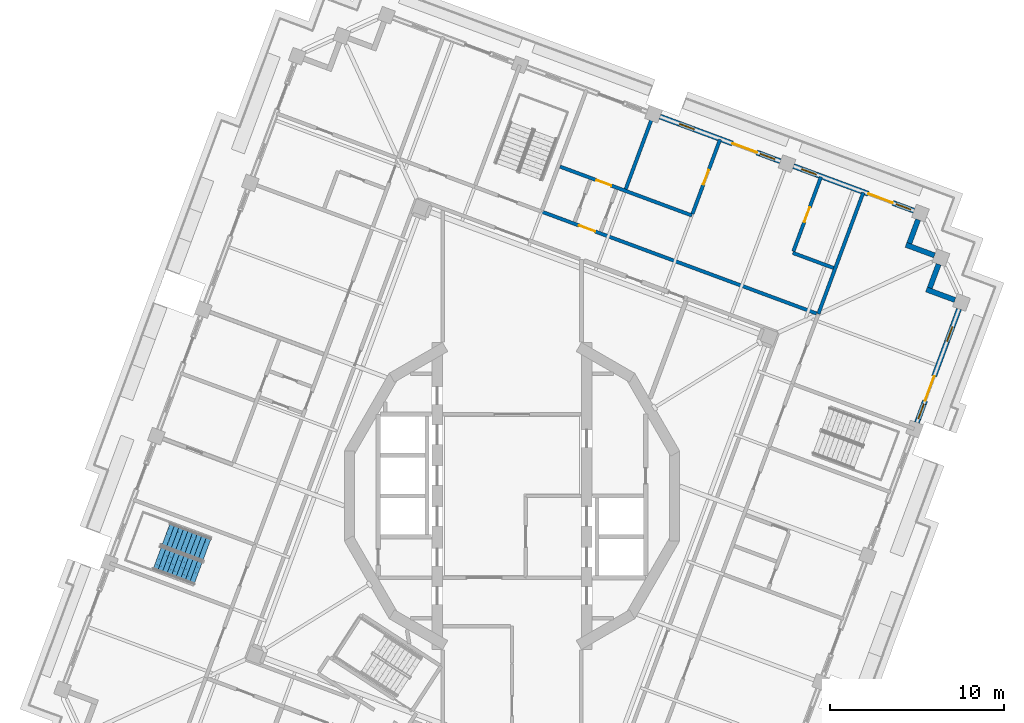
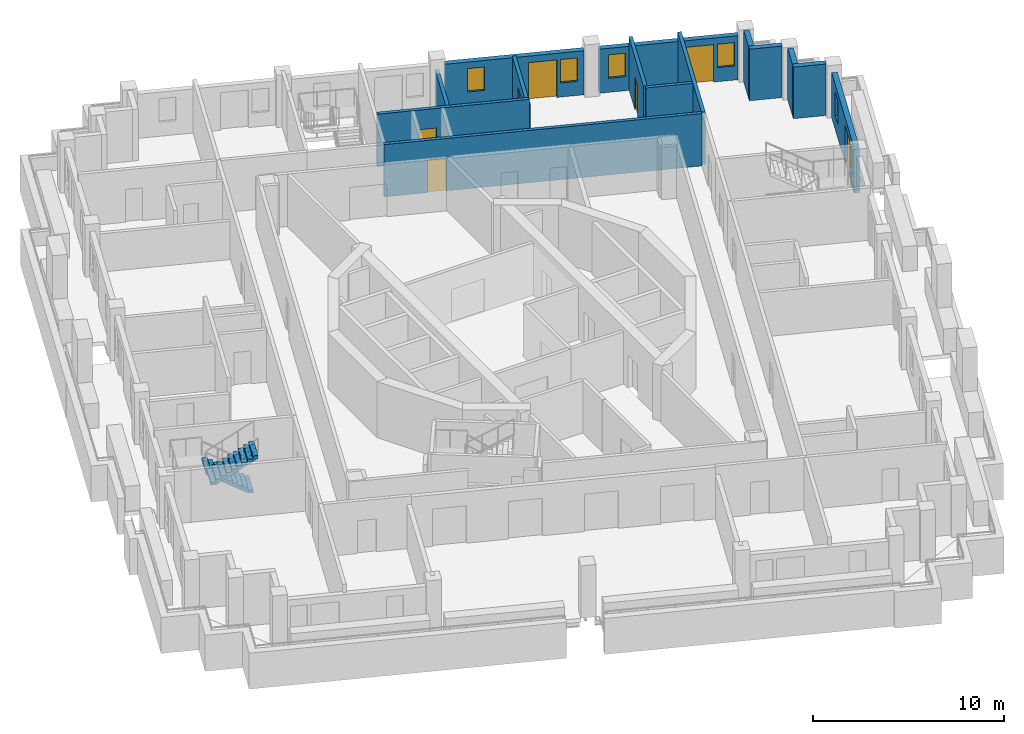
# One storey, part 9 of 18: 14 walls, 7 doors, 6 windows, 2 stair flights, 13 openings, 1 element without a shape of its own.
"""IFC4 building model written with IfcOpenShell, lengths in metres."""

from ifc_helpers import new_model, si_unit, direction, frame, frame_2d, origin, place, context, subcontext, project, spatial, polyline, rectangle, outline, extrude, material, layer, layer_set, type_object, element, fill, aggregate, save


model = new_model("IFC4")

# Units and contexts
model_context = context("Model", 3, precision=1e-05, world=origin(), true_north=direction((0.0, 1.0)))
body_context = subcontext(model_context, "Body", "Model", "MODEL_VIEW")
ifc_project = project(units=[si_unit("LENGTHUNIT", "METRE"), si_unit("AREAUNIT", "SQUARE_METRE"), si_unit("VOLUMEUNIT", "CUBIC_METRE"), si_unit("PLANEANGLEUNIT", "RADIAN"), si_unit("MASSUNIT", "GRAM", prefix="KILO")], contexts=[model_context])

# Site, building, storey
site_placement = place(None, origin())
site = spatial("IfcSite", under=ifc_project, at=site_placement, CompositionType="ELEMENT")
building_placement = place(site_placement, origin())
building = spatial("IfcBuilding", under=site, at=building_placement, Name="Cantera Rosa Tower", CompositionType="ELEMENT")
storey_placement = place(building_placement, frame((0.0, 0.0, 316.89990234375)))
storey = spatial("IfcBuildingStorey", under=building, at=storey_placement, Name="L70", CompositionType="ELEMENT", Elevation=316.89990234375)

# Wall, opening, door
ifc_material_1 = material(Name="Gypsum board partition")
ifc_layer_1 = layer(ifc_material_1, 0.199951171875)
ifc_layer_set_1 = layer_set([ifc_layer_1], Name="CORRIDOR WALL 200 H3350")
wall_type_1 = type_object("IfcWallType", Name="CORRIDOR WALL 200 H3350", PredefinedType="PARTITIONING", material=ifc_layer_set_1)
wall_1_placement = place(storey_placement, frame((17.544677734375, 10.50830078125, 0.0), z_axis=(0.0, 0.0, 1.0), x_axis=(-0.937684617113, 0.347487494493, 0.0)))
wall_1 = element("IfcWall", 1, at=wall_1_placement, inside=storey, type_object=wall_type_1, Name="CORRIDOR WALL L70-101", PredefinedType="PARTITIONING", context=body_context, shape_type="SweptSolid", body=[
    extrude(rectangle(XDim=16.900146484375, YDim=0.199951171875, at=frame_2d((8.4501953125, 0.0))), origin(), (0.0, 0.0, 1.0), 3.35009765625),
])
opening_1_placement = place(wall_1_placement, frame((13.60009765625, 0.0, 0.0)))
opening_1 = element("IfcOpeningElement", 2, at=opening_1_placement, cuts=wall_1, Name="Opening L70-020", PredefinedType="OPENING", context=body_context, shape_type="SweptSolid", body=[
    extrude(rectangle(XDim=1.0, YDim=2.10009765625, at=frame_2d((0.5, 1.050048828125))), frame((0.0, 0.10986328125, 0.0), z_axis=(0.0, -1.0, 0.0), x_axis=(1.0, 0.0, 0.0)), (0.0, 0.0, 1.0), 0.219970703125),
])
ifc_material_2 = material(Name="Timber door leaf", Category="wood")
door_type_1 = type_object("IfcDoorType", Name="ENTRANCE DOOR 1000x2100", OperationType="NOTDEFINED", PredefinedType="DOOR", material=ifc_material_2)
door_1_placement = place(opening_1_placement, origin())
door_1 = element("IfcDoor", 3, at=door_1_placement, inside=storey, type_object=door_type_1, Name="DOOR L70-020", OperationType="NOTDEFINED", OverallHeight=2.10009765625, OverallWidth=1.0, PredefinedType="DOOR", context=body_context, shape_type="SweptSolid", body=[
    extrude(rectangle(XDim=1.0, YDim=2.10009765625, at=frame_2d((0.5, 1.050048828125))), frame((0.0, 0.02490234375, 0.0), z_axis=(0.0, -1.0, 0.0), x_axis=(1.0, 0.0, 0.0)), (0.0, 0.0, 1.0), 0.050048828125),
])
fill(opening_1, door_1)

# Walls
ifc_material_3 = material(Name="Hollow clay masonry with cantera stone cladding", Category="masonry")
ifc_layer_2 = layer(ifc_material_3, 0.300048828125)
ifc_layer_set_2 = layer_set([ifc_layer_2], Name="EW-LOGGIA 300")
wall_type_2 = type_object("IfcWallType", Name="EW-LOGGIA 300", PredefinedType="SOLIDWALL", material=ifc_layer_set_2)
wall_2_placement = place(storey_placement, frame((25.51220703125, 11.288330078125, 0.0), z_axis=(0.0, 0.0, 1.0), x_axis=(-0.937669639538, 0.34752790836, 0.0)))
element("IfcWall", 4, at=wall_2_placement, inside=storey, type_object=wall_type_2, Name="EN-L70-W25a", PredefinedType="SOLIDWALL", context=body_context, shape_type="SweptSolid", body=[
    extrude(rectangle(XDim=1.75, YDim=0.300048828125, at=frame_2d((0.875, 0.0))), origin(), (0.0, 0.0, 1.0), 3.300048828125),
])
wall_3_placement = place(storey_placement, frame((24.06396484375, 11.985107421875, 0.0), z_axis=(0.0, 0.0, 1.0), x_axis=(0.347522732201, 0.937671557958, 0.0)))
element("IfcWall", 5, at=wall_3_placement, inside=storey, type_object=wall_type_2, Name="EN-L70-W25b", PredefinedType="SOLIDWALL", context=body_context, shape_type="SweptSolid", body=[
    extrude(rectangle(XDim=1.449951171875, YDim=0.300048828125, at=frame_2d((0.72509765625, 0.0))), origin(), (0.0, 0.0, 1.0), 3.300048828125),
])
wall_4_placement = place(storey_placement, frame((24.331787109375, 13.858642578125, 0.0), z_axis=(0.0, 0.0, 1.0), x_axis=(-0.937669639538, 0.34752790836, 0.0)))
element("IfcWall", 6, at=wall_4_placement, inside=storey, type_object=wall_type_2, Name="EN-L70-W26a", PredefinedType="SOLIDWALL", context=body_context, shape_type="SweptSolid", body=[
    extrude(rectangle(XDim=1.75, YDim=0.300048828125, at=frame_2d((0.875, 0.0))), origin(), (0.0, 0.0, 1.0), 3.300048828125),
])
wall_5_placement = place(storey_placement, frame((22.883544921875, 14.555419921875, 0.0), z_axis=(0.0, 0.0, 1.0), x_axis=(0.347522732201, 0.937671557958, 0.0)))
element("IfcWall", 7, at=wall_5_placement, inside=storey, type_object=wall_type_2, Name="EN-L70-W26b", PredefinedType="SOLIDWALL", context=body_context, shape_type="SweptSolid", body=[
    extrude(rectangle(XDim=1.449951171875, YDim=0.300048828125, at=frame_2d((0.72509765625, 0.0))), origin(), (0.0, 0.0, 1.0), 3.300048828125),
])

# Wall, openings, windows, door
ifc_material_4 = material(Name="Hollow clay masonry with cantera stone cladding", Category="masonry")
ifc_layer_3 = layer(ifc_material_4, 0.300048828125)
ifc_layer_set_3 = layer_set([ifc_layer_3], Name="EW-LOGGIA 300 H2820")
wall_type_3 = type_object("IfcWallType", Name="EW-LOGGIA 300 H2820", PredefinedType="SOLIDWALL", material=ifc_layer_set_3)
wall_6_placement = place(storey_placement, frame((23.1513671875, 16.428955078125, 0.0), z_axis=(0.0, 0.0, 1.0), x_axis=(-0.937676706507, 0.347508840281, 0.0)))
wall_6 = element("IfcWall", 8, at=wall_6_placement, inside=storey, type_object=wall_type_3, Name="EN-L70-W01", PredefinedType="SOLIDWALL", context=body_context, shape_type="SweptSolid", body=[
    extrude(rectangle(XDim=7.39990234375, YDim=0.300048828125, at=frame_2d((3.699951171875, 0.0))), origin(), (0.0, 0.0, 1.0), 2.820068359375),
])
opening_2_placement = place(wall_6_placement, frame((0.199951171875, 0.0, 0.89990234375)))
opening_2 = element("IfcOpeningElement", 9, at=opening_2_placement, cuts=wall_6, Name="Opening L70-W01", PredefinedType="OPENING", context=body_context, shape_type="SweptSolid", body=[
    extrude(rectangle(XDim=0.89990234375, YDim=1.5, at=frame_2d((0.449951171875, 0.75))), frame((0.0, 0.159912109375, 0.0), z_axis=(0.0, -1.0, 0.0), x_axis=(1.0, 0.0, 0.0)), (0.0, 0.0, 1.0), 0.320068359375),
])
opening_3_placement = place(wall_6_placement, frame((1.300048828125, 0.0, 0.0)))
opening_3 = element("IfcOpeningElement", 10, at=opening_3_placement, cuts=wall_6, Name="Opening L70-TD02", PredefinedType="OPENING", context=body_context, shape_type="SweptSolid", body=[
    extrude(rectangle(XDim=1.5, YDim=2.39990234375, at=frame_2d((0.75, 1.199951171875))), frame((0.0, 0.159912109375, 0.0), z_axis=(0.0, -1.0, 0.0), x_axis=(1.0, 0.0, 0.0)), (0.0, 0.0, 1.0), 0.320068359375),
])
opening_4_placement = place(wall_6_placement, frame((6.0, 0.0, 0.89990234375)))
opening_4 = element("IfcOpeningElement", 11, at=opening_4_placement, cuts=wall_6, Name="Opening L70-W03", PredefinedType="OPENING", context=body_context, shape_type="SweptSolid", body=[
    extrude(rectangle(XDim=0.89990234375, YDim=1.5, at=frame_2d((0.449951171875, 0.75))), frame((0.0, 0.159912109375, 0.0), z_axis=(0.0, -1.0, 0.0), x_axis=(1.0, 0.0, 0.0)), (0.0, 0.0, 1.0), 0.320068359375),
])
ifc_material_5 = material(Name="Aluminium frame with clear glass", Category="aluminium")
window_type = type_object("IfcWindowType", Name="Residential window 900x1500", PartitioningType="SINGLE_PANEL", PredefinedType="WINDOW", material=ifc_material_5)
window_1_placement = place(opening_2_placement, origin())
window_1 = element("IfcWindow", 12, at=window_1_placement, inside=storey, type_object=window_type, Name="WINDOW L70-W01", OverallHeight=1.5, OverallWidth=0.89990234375, PartitioningType="SINGLE_PANEL", PredefinedType="WINDOW", context=body_context, shape_type="SweptSolid", body=[
    extrude(rectangle(XDim=0.89990234375, YDim=1.5, at=frame_2d((0.449951171875, 0.75))), frame((0.0, 0.030029296875, 0.0), z_axis=(0.0, -1.0, 0.0), x_axis=(1.0, 0.0, 0.0)), (0.0, 0.0, 1.0), 0.06005859375),
])
fill(opening_2, window_1)
window_2_placement = place(opening_4_placement, origin())
window_2 = element("IfcWindow", 13, at=window_2_placement, inside=storey, type_object=window_type, Name="WINDOW L70-W03", OverallHeight=1.5, OverallWidth=0.89990234375, PartitioningType="SINGLE_PANEL", PredefinedType="WINDOW", context=body_context, shape_type="SweptSolid", body=[
    extrude(rectangle(XDim=0.89990234375, YDim=1.5, at=frame_2d((0.449951171875, 0.75))), frame((0.0, 0.030029296875, 0.0), z_axis=(0.0, -1.0, 0.0), x_axis=(1.0, 0.0, 0.0)), (0.0, 0.0, 1.0), 0.06005859375),
])
fill(opening_4, window_2)
ifc_material_6 = material(Name="Aluminium frame with clear glass", Category="aluminium")
door_type_2 = type_object("IfcDoorType", Name="TD-R 1500x2400", OperationType="NOTDEFINED", PredefinedType="DOOR", material=ifc_material_6)
door_2_placement = place(opening_3_placement, origin())
door_2 = element("IfcDoor", 14, at=door_2_placement, inside=storey, type_object=door_type_2, Name="LOGGIA DOOR L70-TD02", OperationType="SLIDING_TO_LEFT", OverallHeight=2.39990234375, OverallWidth=1.5, PredefinedType="DOOR", context=body_context, shape_type="SweptSolid", body=[
    extrude(rectangle(XDim=1.5, YDim=2.39990234375, at=frame_2d((0.75, 1.199951171875))), frame((0.0, 0.02490234375, 0.0), z_axis=(0.0, -1.0, 0.0), x_axis=(1.0, 0.0, 0.0)), (0.0, 0.0, 1.0), 0.050048828125),
])
fill(opening_3, door_2)

wall_7_placement = place(storey_placement, frame((15.46240234375, 19.2783203125, 0.0), z_axis=(0.0, 0.0, 1.0), x_axis=(-0.937680690562, 0.34749808999, 0.0)))
wall_7 = element("IfcWall", 15, at=wall_7_placement, inside=storey, type_object=wall_type_3, Name="EN-L70-W02", PredefinedType="SOLIDWALL", context=body_context, shape_type="SweptSolid", body=[
    extrude(rectangle(XDim=7.400146484375, YDim=0.300048828125, at=frame_2d((3.7001953125, 0.0))), origin(), (0.0, 0.0, 1.0), 2.820068359375),
])
opening_5_placement = place(wall_7_placement, frame((0.35009765625, 0.0, 0.89990234375)))
opening_5 = element("IfcOpeningElement", 16, at=opening_5_placement, cuts=wall_7, Name="Opening L70-W04", PredefinedType="OPENING", context=body_context, shape_type="SweptSolid", body=[
    extrude(rectangle(XDim=0.89990234375, YDim=1.5, at=frame_2d((0.449951171875, 0.75))), frame((0.0, 0.159912109375, 0.0), z_axis=(0.0, -1.0, 0.0), x_axis=(1.0, 0.0, 0.0)), (0.0, 0.0, 1.0), 0.320068359375),
])
opening_6_placement = place(wall_7_placement, frame((1.449951171875, 0.0, 0.0)))
opening_6 = element("IfcOpeningElement", 17, at=opening_6_placement, cuts=wall_7, Name="Opening L70-TD05", PredefinedType="OPENING", context=body_context, shape_type="SweptSolid", body=[
    extrude(rectangle(XDim=1.5, YDim=2.39990234375, at=frame_2d((0.75, 1.199951171875))), frame((0.0, 0.159912109375, 0.0), z_axis=(0.0, -1.0, 0.0), x_axis=(1.0, 0.0, 0.0)), (0.0, 0.0, 1.0), 0.320068359375),
])
opening_7_placement = place(wall_7_placement, frame((5.300048828125, 0.0, 0.89990234375)))
opening_7 = element("IfcOpeningElement", 18, at=opening_7_placement, cuts=wall_7, Name="Opening L70-W06", PredefinedType="OPENING", context=body_context, shape_type="SweptSolid", body=[
    extrude(rectangle(XDim=0.89990234375, YDim=1.5, at=frame_2d((0.449951171875, 0.75))), frame((0.0, 0.159912109375, 0.0), z_axis=(0.0, -1.0, 0.0), x_axis=(1.0, 0.0, 0.0)), (0.0, 0.0, 1.0), 0.320068359375),
])
window_3_placement = place(opening_5_placement, origin())
window_3 = element("IfcWindow", 19, at=window_3_placement, inside=storey, type_object=window_type, Name="WINDOW L70-W04", OverallHeight=1.5, OverallWidth=0.89990234375, PartitioningType="SINGLE_PANEL", PredefinedType="WINDOW", context=body_context, shape_type="SweptSolid", body=[
    extrude(rectangle(XDim=0.89990234375, YDim=1.5, at=frame_2d((0.449951171875, 0.75))), frame((0.0, 0.030029296875, 0.0), z_axis=(0.0, -1.0, 0.0), x_axis=(1.0, 0.0, 0.0)), (0.0, 0.0, 1.0), 0.06005859375),
])
fill(opening_5, window_3)
window_4_placement = place(opening_7_placement, origin())
window_4 = element("IfcWindow", 20, at=window_4_placement, inside=storey, type_object=window_type, Name="WINDOW L70-W06", OverallHeight=1.5, OverallWidth=0.89990234375, PartitioningType="SINGLE_PANEL", PredefinedType="WINDOW", context=body_context, shape_type="SweptSolid", body=[
    extrude(rectangle(XDim=0.89990234375, YDim=1.5, at=frame_2d((0.449951171875, 0.75))), frame((0.0, 0.030029296875, 0.0), z_axis=(0.0, -1.0, 0.0), x_axis=(1.0, 0.0, 0.0)), (0.0, 0.0, 1.0), 0.06005859375),
])
fill(opening_7, window_4)
door_3_placement = place(opening_6_placement, origin())
door_3 = element("IfcDoor", 21, at=door_3_placement, inside=storey, type_object=door_type_2, Name="LOGGIA DOOR L70-TD05", OperationType="SLIDING_TO_LEFT", OverallHeight=2.39990234375, OverallWidth=1.5, PredefinedType="DOOR", context=body_context, shape_type="SweptSolid", body=[
    extrude(rectangle(XDim=1.5, YDim=2.39990234375, at=frame_2d((0.75, 1.199951171875))), frame((0.0, 0.02490234375, 0.0), z_axis=(0.0, -1.0, 0.0), x_axis=(1.0, 0.0, 0.0)), (0.0, 0.0, 1.0), 0.050048828125),
])
fill(opening_6, door_3)

ifc_material_7 = material(Name="Hollow clay masonry with cantera stone cladding", Category="masonry")
ifc_layer_4 = layer(ifc_material_7, 0.300048828125)
ifc_layer_set_4 = layer_set([ifc_layer_4], Name="EW-LOGGIA 300 H2890")
wall_type_4 = type_object("IfcWallType", Name="EW-LOGGIA 300 H2890", PredefinedType="SOLIDWALL", material=ifc_layer_set_4)
wall_8_placement = place(storey_placement, frame((23.322998046875, 4.229248046875, 0.0), z_axis=(0.0, 0.0, 1.0), x_axis=(0.347460165909, 0.937694744097, 0.0)))
wall_8 = element("IfcWall", 22, at=wall_8_placement, inside=storey, type_object=wall_type_4, Name="EN-L70-W24", PredefinedType="SOLIDWALL", context=body_context, shape_type="SweptSolid", body=[
    extrude(rectangle(XDim=6.97998046875, YDim=0.300048828125, at=frame_2d((3.489990234375, 0.0))), origin(), (0.0, 0.0, 1.0), 2.89013671875),
])
opening_8_placement = place(wall_8_placement, frame((0.2451171875, 0.0, 0.89990234375)))
opening_8 = element("IfcOpeningElement", 23, at=opening_8_placement, cuts=wall_8, Name="Opening L70-W46", PredefinedType="OPENING", context=body_context, shape_type="SweptSolid", body=[
    extrude(rectangle(XDim=0.89990234375, YDim=1.5, at=frame_2d((0.449951171875, 0.75))), frame((0.0, 0.159912109375, 0.0), z_axis=(0.0, -1.0, 0.0), x_axis=(1.0, 0.0, 0.0)), (0.0, 0.0, 1.0), 0.320068359375),
])
opening_9_placement = place(wall_8_placement, frame((1.344970703125, 0.0, 0.0)))
opening_9 = element("IfcOpeningElement", 24, at=opening_9_placement, cuts=wall_8, Name="Opening L70-TD47", PredefinedType="OPENING", context=body_context, shape_type="SweptSolid", body=[
    extrude(rectangle(XDim=1.5, YDim=2.39990234375, at=frame_2d((0.75, 1.199951171875))), frame((0.0, 0.159912109375, 0.0), z_axis=(0.0, -1.0, 0.0), x_axis=(1.0, 0.0, 0.0)), (0.0, 0.0, 1.0), 0.320068359375),
])
opening_10_placement = place(wall_8_placement, frame((4.985107421875, 0.0, 0.89990234375)))
opening_10 = element("IfcOpeningElement", 25, at=opening_10_placement, cuts=wall_8, Name="Opening L70-W48", PredefinedType="OPENING", context=body_context, shape_type="SweptSolid", body=[
    extrude(rectangle(XDim=0.89990234375, YDim=1.5, at=frame_2d((0.449951171875, 0.75))), frame((0.0, 0.159912109375, 0.0), z_axis=(0.0, -1.0, 0.0), x_axis=(1.0, 0.0, 0.0)), (0.0, 0.0, 1.0), 0.320068359375),
])
window_5_placement = place(opening_8_placement, origin())
window_5 = element("IfcWindow", 26, at=window_5_placement, inside=storey, type_object=window_type, Name="WINDOW L70-W46", OverallHeight=1.5, OverallWidth=0.89990234375, PartitioningType="SINGLE_PANEL", PredefinedType="WINDOW", context=body_context, shape_type="SweptSolid", body=[
    extrude(rectangle(XDim=0.89990234375, YDim=1.5, at=frame_2d((0.449951171875, 0.75))), frame((0.0, 0.030029296875, 0.0), z_axis=(0.0, -1.0, 0.0), x_axis=(1.0, 0.0, 0.0)), (0.0, 0.0, 1.0), 0.06005859375),
])
fill(opening_8, window_5)
window_6_placement = place(opening_10_placement, origin())
window_6 = element("IfcWindow", 27, at=window_6_placement, inside=storey, type_object=window_type, Name="WINDOW L70-W48", OverallHeight=1.5, OverallWidth=0.89990234375, PartitioningType="SINGLE_PANEL", PredefinedType="WINDOW", context=body_context, shape_type="SweptSolid", body=[
    extrude(rectangle(XDim=0.89990234375, YDim=1.5, at=frame_2d((0.449951171875, 0.75))), frame((0.0, 0.030029296875, 0.0), z_axis=(0.0, -1.0, 0.0), x_axis=(1.0, 0.0, 0.0)), (0.0, 0.0, 1.0), 0.06005859375),
])
fill(opening_10, window_6)
door_4_placement = place(opening_9_placement, origin())
door_4 = element("IfcDoor", 28, at=door_4_placement, inside=storey, type_object=door_type_2, Name="LOGGIA DOOR L70-TD47", OperationType="SLIDING_TO_LEFT", OverallHeight=2.39990234375, OverallWidth=1.5, PredefinedType="DOOR", context=body_context, shape_type="SweptSolid", body=[
    extrude(rectangle(XDim=1.5, YDim=2.39990234375, at=frame_2d((0.75, 1.199951171875))), frame((0.0, 0.02490234375, 0.0), z_axis=(0.0, -1.0, 0.0), x_axis=(1.0, 0.0, 0.0)), (0.0, 0.0, 1.0), 0.050048828125),
])
fill(opening_9, door_4)

# Wall
ifc_material_8 = material(Name="Gypsum board partition")
ifc_layer_5 = layer(ifc_material_8, 0.199951171875)
ifc_layer_set_5 = layer_set([ifc_layer_5], Name="PARTITION 200 H2450")
wall_type_5 = type_object("IfcWallType", Name="PARTITION 200 H2450", PredefinedType="PARTITIONING", material=ifc_layer_set_5)
wall_9_placement = place(storey_placement, frame((8.137939453125, 21.960693359375, 0.0), z_axis=(0.0, 0.0, 1.0), x_axis=(-0.347450063389, -0.937698487495, 0.0)))
element("IfcWall", 29, at=wall_9_placement, inside=storey, type_object=wall_type_5, Name="PARTITION L70-084", PredefinedType="PARTITIONING", context=body_context, shape_type="SweptSolid", body=[
    extrude(rectangle(XDim=4.570068359375, YDim=0.199951171875, at=frame_2d((2.28515625, 0.0))), origin(), (0.0, 0.0, 1.0), 2.4501953125),
])

# Wall, opening, door
ifc_material_9 = material(Name="Gypsum board partition")
ifc_layer_6 = layer(ifc_material_9, 0.199951171875)
ifc_layer_set_6 = layer_set([ifc_layer_6], Name="PARTITION 200 H2850")
wall_type_6 = type_object("IfcWallType", Name="PARTITION 200 H2850", PredefinedType="PARTITIONING", material=ifc_layer_set_6)
wall_10_placement = place(storey_placement, frame((11.982421875, 20.535888671875, 0.0), z_axis=(0.0, 0.0, 1.0), x_axis=(-0.347467468938, -0.937692037947, 0.0)))
wall_10 = element("IfcWall", 30, at=wall_10_placement, inside=storey, type_object=wall_type_6, Name="PARTITION L70-088", PredefinedType="PARTITIONING", context=body_context, shape_type="SweptSolid", body=[
    extrude(rectangle(XDim=4.56982421875, YDim=0.199951171875, at=frame_2d((2.284912109375, 0.0))), origin(), (0.0, 0.0, 1.0), 2.85009765625),
])
opening_11_placement = place(wall_10_placement, frame((1.8701171875, 0.0, 0.0)))
opening_11 = element("IfcOpeningElement", 31, at=opening_11_placement, cuts=wall_10, Name="Opening L70-024", PredefinedType="OPENING", context=body_context, shape_type="SweptSolid", body=[
    extrude(rectangle(XDim=0.89990234375, YDim=2.10009765625, at=frame_2d((0.449951171875, 1.050048828125))), frame((0.0, 0.10986328125, 0.0), z_axis=(0.0, -1.0, 0.0), x_axis=(1.0, 0.0, 0.0)), (0.0, 0.0, 1.0), 0.219970703125),
])
ifc_material_10 = material(Name="Timber door leaf", Category="wood")
door_type_3 = type_object("IfcDoorType", Name="ROOM DOOR 900x2100", OperationType="NOTDEFINED", PredefinedType="DOOR", material=ifc_material_10)
door_5_placement = place(opening_11_placement, origin())
door_5 = element("IfcDoor", 32, at=door_5_placement, inside=storey, type_object=door_type_3, Name="DOOR L70-024", OperationType="NOTDEFINED", OverallHeight=2.10009765625, OverallWidth=0.89990234375, PredefinedType="DOOR", context=body_context, shape_type="SweptSolid", body=[
    extrude(rectangle(XDim=0.89990234375, YDim=2.10009765625, at=frame_2d((0.449951171875, 1.050048828125))), frame((0.0, 0.02490234375, 0.0), z_axis=(0.0, -1.0, 0.0), x_axis=(1.0, 0.0, 0.0)), (0.0, 0.0, 1.0), 0.050048828125),
])
fill(opening_11, door_5)

ifc_material_11 = material(Name="Gypsum board partition")
ifc_layer_7 = layer(ifc_material_11, 0.199951171875)
ifc_layer_set_7 = layer_set([ifc_layer_7], Name="PARTITION 200 H3350")
wall_type_7 = type_object("IfcWallType", Name="PARTITION 200 H3350", PredefinedType="PARTITIONING", material=ifc_layer_set_7)
wall_11_placement = place(storey_placement, frame((2.764404296875, 18.9716796875, 0.0), z_axis=(0.0, 0.0, 1.0), x_axis=(0.937685847618, -0.347484173996, 0.0)))
wall_11 = element("IfcWall", 33, at=wall_11_placement, inside=storey, type_object=wall_type_7, Name="PARTITION L70-063", PredefinedType="PARTITIONING", context=body_context, shape_type="SweptSolid", body=[
    extrude(rectangle(XDim=8.10009765625, YDim=0.199951171875, at=frame_2d((4.050048828125, 0.0))), origin(), (0.0, 0.0, 1.0), 3.35009765625),
])
opening_12_placement = place(wall_11_placement, frame((2.25, 0.0, 0.0)))
opening_12 = element("IfcOpeningElement", 34, at=opening_12_placement, cuts=wall_11, Name="Opening L70-023", PredefinedType="OPENING", context=body_context, shape_type="SweptSolid", body=[
    extrude(rectangle(XDim=0.89990234375, YDim=2.10009765625, at=frame_2d((0.449951171875, 1.050048828125))), frame((0.0, 0.10986328125, 0.0), z_axis=(0.0, -1.0, 0.0), x_axis=(1.0, 0.0, 0.0)), (0.0, 0.0, 1.0), 0.219970703125),
])
door_6_placement = place(opening_12_placement, origin())
door_6 = element("IfcDoor", 35, at=door_6_placement, inside=storey, type_object=door_type_3, Name="DOOR L70-023", OperationType="NOTDEFINED", OverallHeight=2.10009765625, OverallWidth=0.89990234375, PredefinedType="DOOR", context=body_context, shape_type="SweptSolid", body=[
    extrude(rectangle(XDim=0.89990234375, YDim=2.10009765625, at=frame_2d((0.449951171875, 1.050048828125))), frame((0.0, 0.02490234375, 0.0), z_axis=(0.0, -1.0, 0.0), x_axis=(1.0, 0.0, 0.0)), (0.0, 0.0, 1.0), 0.050048828125),
])
fill(opening_12, door_6)

# Wall
wall_12_placement = place(storey_placement, frame((16.17333984375, 14.002685546875, 0.0), z_axis=(0.0, 0.0, 1.0), x_axis=(0.937662740925, -0.347546521032, 0.0)))
element("IfcWall", 36, at=wall_12_placement, inside=storey, type_object=wall_type_7, Name="PARTITION L70-100", PredefinedType="PARTITIONING", context=body_context, shape_type="SweptSolid", body=[
    extrude(rectangle(XDim=2.5, YDim=0.199951171875, at=frame_2d((1.25, 0.0))), origin(), (0.0, 0.0, 1.0), 3.35009765625),
])

# Wall, opening, door
wall_13_placement = place(storey_placement, frame((17.796142578125, 18.381591796875, 0.0), z_axis=(0.0, 0.0, 1.0), x_axis=(-0.347450063389, -0.937698487495, 0.0)))
wall_13 = element("IfcWall", 37, at=wall_13_placement, inside=storey, type_object=wall_type_7, Name="PARTITION L70-102", PredefinedType="PARTITIONING", context=body_context, shape_type="SweptSolid", body=[
    extrude(rectangle(XDim=4.570068359375, YDim=0.199951171875, at=frame_2d((2.28515625, 0.0))), origin(), (0.0, 0.0, 1.0), 3.35009765625),
])
opening_13_placement = place(wall_13_placement, frame((1.8701171875, 0.0, 0.0)))
opening_13 = element("IfcOpeningElement", 38, at=opening_13_placement, cuts=wall_13, Name="Opening L70-025", PredefinedType="OPENING", context=body_context, shape_type="SweptSolid", body=[
    extrude(rectangle(XDim=0.89990234375, YDim=2.10009765625, at=frame_2d((0.449951171875, 1.050048828125))), frame((0.0, 0.10986328125, 0.0), z_axis=(0.0, -1.0, 0.0), x_axis=(1.0, 0.0, 0.0)), (0.0, 0.0, 1.0), 0.219970703125),
])
door_7_placement = place(opening_13_placement, origin())
door_7 = element("IfcDoor", 39, at=door_7_placement, inside=storey, type_object=door_type_3, Name="DOOR L70-025", OperationType="NOTDEFINED", OverallHeight=2.10009765625, OverallWidth=0.89990234375, PredefinedType="DOOR", context=body_context, shape_type="SweptSolid", body=[
    extrude(rectangle(XDim=0.89990234375, YDim=2.10009765625, at=frame_2d((0.449951171875, 1.050048828125))), frame((0.0, 0.02490234375, 0.0), z_axis=(0.0, -1.0, 0.0), x_axis=(1.0, 0.0, 0.0)), (0.0, 0.0, 1.0), 0.050048828125),
])
fill(opening_13, door_7)

# Wall
ifc_material_12 = material(Name="Gypsum board partition")
ifc_layer_8 = layer(ifc_material_12, 0.199951171875)
ifc_layer_set_8 = layer_set([ifc_layer_8], Name="PARTY WALL 200 H3350")
wall_type_8 = type_object("IfcWallType", Name="PARTY WALL 200 H3350", PredefinedType="PARTITIONING", material=ifc_layer_set_8)
wall_14_placement = place(storey_placement, frame((20.234130859375, 17.47802734375, 0.0), z_axis=(0.0, 0.0, 1.0), x_axis=(-0.347475519739, -0.937689054635, 0.0)))
element("IfcWall", 40, at=wall_14_placement, inside=storey, type_object=wall_type_8, Name="PARTY WALL L70-103", PredefinedType="PARTITIONING", context=body_context, shape_type="SweptSolid", body=[
    extrude(rectangle(XDim=7.44970703125, YDim=0.199951171875, at=frame_2d((3.724853515625, 0.0))), origin(), (0.0, 0.0, 1.0), 3.35009765625),
])

# Stair, stair flights
ifc_material_13 = material(Name="Concrete C35/45", Category="concrete")
stair_type = type_object("IfcStairType", Name="EXIT STAIR 1350 DOGLEG", PredefinedType="HALF_TURN_STAIR", material=ifc_material_13)
stair_placement = place(storey_placement, origin())
stair = element("IfcStair", 41, at=stair_placement, inside=storey, type_object=stair_type, Name="L70 ST-63", PredefinedType="HALF_TURN_STAIR")
ifc_material_14 = material(Name="Concrete C35/45", Category="concrete")
stair_flight_type = type_object("IfcStairFlightType", Name="STAIR FLIGHT 1350 R20x180", PredefinedType="STRAIGHT", material=ifc_material_14)
stair_flight_1_placement = place(storey_placement, frame((-17.55908203125, -3.064453125, 0.0), z_axis=(0.0, 0.0, 1.0), x_axis=(-0.937686938944, 0.347481229039, 0.0)))
stair_flight_1 = element("IfcStairFlight", 42, at=stair_flight_1_placement, type_object=stair_flight_type, Name="ST-63 flight 1", NumberOfRisers=10, NumberOfTreads=9, PredefinedType="STRAIGHT", RiserHeight=0.18, TreadLength=0.28, context=body_context, shape_type="SweptSolid", body=[
    extrude(outline(polyline([(0.0, 0.0), (0.0, 0.179931640625), (0.280029296875, 0.179931640625), (0.280029296875, 0.360107421875), (0.56005859375, 0.360107421875), (0.56005859375, 0.5400390625), (0.840087890625, 0.5400390625), (0.840087890625, 0.719970703125), (1.1201171875, 0.719970703125), (1.1201171875, 0.89990234375), (1.39990234375, 0.89990234375), (1.39990234375, 1.080078125), (1.679931640625, 1.080078125), (1.679931640625, 1.260009765625), (1.9599609375, 1.260009765625), (1.9599609375, 1.43994140625), (2.239990234375, 1.43994140625), (2.239990234375, 1.6201171875), (2.52001953125, 1.6201171875), (2.52001953125, 1.800048828125), (2.52001953125, 1.44189453125), (0.277099609375, 0.0), (0.0, 0.0)])), frame((0.0, 0.675048828125, 0.0), z_axis=(0.0, -1.0, 0.0), x_axis=(1.0, 0.0, 0.0)), (0.0, 0.0, 1.0), 0.3359375),
    extrude(outline(polyline([(0.0, 0.0), (0.0, 0.179931640625), (0.280029296875, 0.179931640625), (0.280029296875, 0.360107421875), (0.56005859375, 0.360107421875), (0.56005859375, 0.5400390625), (0.840087890625, 0.5400390625), (0.840087890625, 0.719970703125), (1.1201171875, 0.719970703125), (1.1201171875, 0.89990234375), (1.39990234375, 0.89990234375), (1.39990234375, 1.080078125), (1.679931640625, 1.080078125), (1.679931640625, 1.260009765625), (1.9599609375, 1.260009765625), (1.9599609375, 1.43994140625), (2.239990234375, 1.43994140625), (2.239990234375, 1.6201171875), (2.52001953125, 1.6201171875), (2.52001953125, 1.800048828125), (2.52001953125, 1.44189453125), (0.277099609375, 0.0), (0.0, 0.0)])), frame((0.0, 0.337158203125, 0.0), z_axis=(0.0, -1.0, 0.0), x_axis=(1.0, 0.0, 0.0)), (0.0, 0.0, 1.0), 0.3359375),
    extrude(outline(polyline([(0.0, 0.0), (0.0, 0.179931640625), (0.280029296875, 0.179931640625), (0.280029296875, 0.360107421875), (0.56005859375, 0.360107421875), (0.56005859375, 0.5400390625), (0.840087890625, 0.5400390625), (0.840087890625, 0.719970703125), (1.1201171875, 0.719970703125), (1.1201171875, 0.89990234375), (1.39990234375, 0.89990234375), (1.39990234375, 1.080078125), (1.679931640625, 1.080078125), (1.679931640625, 1.260009765625), (1.9599609375, 1.260009765625), (1.9599609375, 1.43994140625), (2.239990234375, 1.43994140625), (2.239990234375, 1.6201171875), (2.52001953125, 1.6201171875), (2.52001953125, 1.800048828125), (2.52001953125, 1.44189453125), (0.277099609375, 0.0), (0.0, 0.0)])), frame((0.0, -0.000732421875, 0.0), z_axis=(0.0, -1.0, 0.0), x_axis=(1.0, 0.0, 0.0)), (0.0, 0.0, 1.0), 0.3359375),
    extrude(outline(polyline([(0.0, 0.0), (0.0, 0.179931640625), (0.280029296875, 0.179931640625), (0.280029296875, 0.360107421875), (0.56005859375, 0.360107421875), (0.56005859375, 0.5400390625), (0.840087890625, 0.5400390625), (0.840087890625, 0.719970703125), (1.1201171875, 0.719970703125), (1.1201171875, 0.89990234375), (1.39990234375, 0.89990234375), (1.39990234375, 1.080078125), (1.679931640625, 1.080078125), (1.679931640625, 1.260009765625), (1.9599609375, 1.260009765625), (1.9599609375, 1.43994140625), (2.239990234375, 1.43994140625), (2.239990234375, 1.6201171875), (2.52001953125, 1.6201171875), (2.52001953125, 1.800048828125), (2.52001953125, 1.44189453125), (0.277099609375, 0.0), (0.0, 0.0)])), frame((0.0, -0.338623046875, 0.0), z_axis=(0.0, -1.0, 0.0), x_axis=(1.0, 0.0, 0.0)), (0.0, 0.0, 1.0), 0.3359375),
])
stair_flight_2_placement = place(storey_placement, frame((-20.443115234375, -3.595458984375, 1.800048828125), z_axis=(0.0, 0.0, 1.0), x_axis=(0.937686938944, -0.347481229039, 0.0)))
stair_flight_2 = element("IfcStairFlight", 43, at=stair_flight_2_placement, type_object=stair_flight_type, Name="ST-63 flight 2", NumberOfRisers=10, NumberOfTreads=9, PredefinedType="STRAIGHT", RiserHeight=0.18, TreadLength=0.28, context=body_context, shape_type="SweptSolid", body=[
    extrude(outline(polyline([(0.0, 0.0), (0.0, 0.179931640625), (0.280029296875, 0.179931640625), (0.280029296875, 0.360107421875), (0.56005859375, 0.360107421875), (0.56005859375, 0.5400390625), (0.840087890625, 0.5400390625), (0.840087890625, 0.719970703125), (1.1201171875, 0.719970703125), (1.1201171875, 0.89990234375), (1.39990234375, 0.89990234375), (1.39990234375, 1.080078125), (1.679931640625, 1.080078125), (1.679931640625, 1.260009765625), (1.9599609375, 1.260009765625), (1.9599609375, 1.43994140625), (2.239990234375, 1.43994140625), (2.239990234375, 1.6201171875), (2.52001953125, 1.6201171875), (2.52001953125, 1.800048828125), (2.52001953125, 1.44189453125), (0.277099609375, 0.0), (0.0, 0.0)])), frame((0.0, 0.675048828125, 0.0), z_axis=(0.0, -1.0, 0.0), x_axis=(1.0, 0.0, 0.0)), (0.0, 0.0, 1.0), 0.3359375),
    extrude(outline(polyline([(0.0, 0.0), (0.0, 0.179931640625), (0.280029296875, 0.179931640625), (0.280029296875, 0.360107421875), (0.56005859375, 0.360107421875), (0.56005859375, 0.5400390625), (0.840087890625, 0.5400390625), (0.840087890625, 0.719970703125), (1.1201171875, 0.719970703125), (1.1201171875, 0.89990234375), (1.39990234375, 0.89990234375), (1.39990234375, 1.080078125), (1.679931640625, 1.080078125), (1.679931640625, 1.260009765625), (1.9599609375, 1.260009765625), (1.9599609375, 1.43994140625), (2.239990234375, 1.43994140625), (2.239990234375, 1.6201171875), (2.52001953125, 1.6201171875), (2.52001953125, 1.800048828125), (2.52001953125, 1.44189453125), (0.277099609375, 0.0), (0.0, 0.0)])), frame((0.0, 0.337158203125, 0.0), z_axis=(0.0, -1.0, 0.0), x_axis=(1.0, 0.0, 0.0)), (0.0, 0.0, 1.0), 0.3359375),
    extrude(outline(polyline([(0.0, 0.0), (0.0, 0.179931640625), (0.280029296875, 0.179931640625), (0.280029296875, 0.360107421875), (0.56005859375, 0.360107421875), (0.56005859375, 0.5400390625), (0.840087890625, 0.5400390625), (0.840087890625, 0.719970703125), (1.1201171875, 0.719970703125), (1.1201171875, 0.89990234375), (1.39990234375, 0.89990234375), (1.39990234375, 1.080078125), (1.679931640625, 1.080078125), (1.679931640625, 1.260009765625), (1.9599609375, 1.260009765625), (1.9599609375, 1.43994140625), (2.239990234375, 1.43994140625), (2.239990234375, 1.6201171875), (2.52001953125, 1.6201171875), (2.52001953125, 1.800048828125), (2.52001953125, 1.44189453125), (0.277099609375, 0.0), (0.0, 0.0)])), frame((0.0, -0.000732421875, 0.0), z_axis=(0.0, -1.0, 0.0), x_axis=(1.0, 0.0, 0.0)), (0.0, 0.0, 1.0), 0.3359375),
    extrude(outline(polyline([(0.0, 0.0), (0.0, 0.179931640625), (0.280029296875, 0.179931640625), (0.280029296875, 0.360107421875), (0.56005859375, 0.360107421875), (0.56005859375, 0.5400390625), (0.840087890625, 0.5400390625), (0.840087890625, 0.719970703125), (1.1201171875, 0.719970703125), (1.1201171875, 0.89990234375), (1.39990234375, 0.89990234375), (1.39990234375, 1.080078125), (1.679931640625, 1.080078125), (1.679931640625, 1.260009765625), (1.9599609375, 1.260009765625), (1.9599609375, 1.43994140625), (2.239990234375, 1.43994140625), (2.239990234375, 1.6201171875), (2.52001953125, 1.6201171875), (2.52001953125, 1.800048828125), (2.52001953125, 1.44189453125), (0.277099609375, 0.0), (0.0, 0.0)])), frame((0.0, -0.338623046875, 0.0), z_axis=(0.0, -1.0, 0.0), x_axis=(1.0, 0.0, 0.0)), (0.0, 0.0, 1.0), 0.3359375),
])
aggregate(stair, [stair_flight_1, stair_flight_2])

save(model, "model.ifc")
